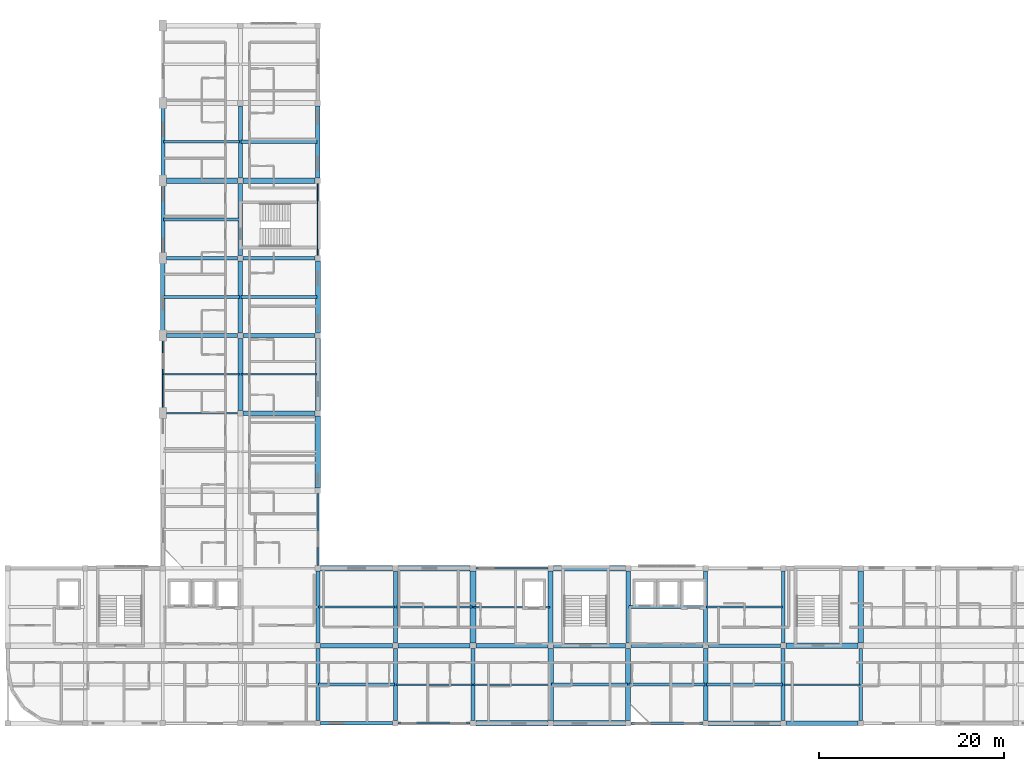
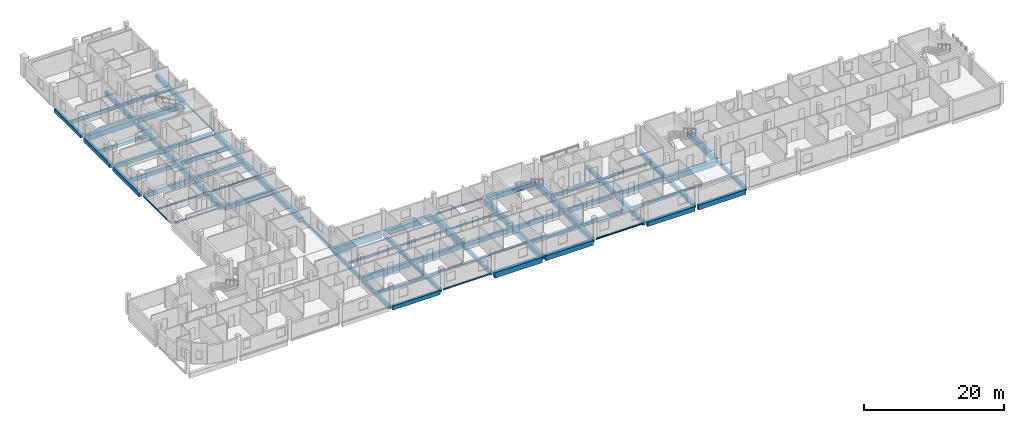
# One storey, part 3 of 24: 75 beams.
"""IFC4 building model written with IfcOpenShell, lengths in metres."""

from ifc_helpers import new_model, si_unit, derived_unit, direction, frame, origin, origin_2d, place, context, subcontext, project, spatial, rectangle, hollow_rectangle, i_section, extrude, material, material_profile, profile_set, type_object, element, save


model = new_model("IFC4")

# Units and contexts
model_context = context("Model", 3, precision=1e-05, world=origin(), true_north=direction((0.0, 1.0)))
body_context = subcontext(model_context, "Body", "Model", "MODEL_VIEW")
ifc_project = project(units=[si_unit("LENGTHUNIT", "METRE"), si_unit("AREAUNIT", "SQUARE_METRE"), si_unit("VOLUMEUNIT", "CUBIC_METRE"), si_unit("PLANEANGLEUNIT", "RADIAN"), si_unit("MASSUNIT", "GRAM", prefix="KILO"), derived_unit("THERMALTRANSMITTANCEUNIT", [(si_unit("POWERUNIT", "WATT"), 1), (si_unit("LENGTHUNIT", "METRE"), -2), (si_unit("THERMODYNAMICTEMPERATUREUNIT", "KELVIN"), -1)])], contexts=[model_context])

# Site, building, storey
site_placement = place(None, origin())
site = spatial("IfcSite", under=ifc_project, at=site_placement, CompositionType="ELEMENT")
building_placement = place(site_placement, origin())
building = spatial("IfcBuilding", under=site, at=building_placement, Name="Barrovel Congress Hotel", CompositionType="ELEMENT")
storey_placement = place(building_placement, frame((0.0, 0.0, 29.10009765625)))
storey = spatial("IfcBuildingStorey", under=building, at=storey_placement, Name="L07", CompositionType="ELEMENT", Elevation=29.10009765625)

# Beams
ifc_material_1 = material(Name="Concrete C40", Category="concrete")
ifc_material_profile_1 = material_profile(ifc_material_1, rectangle(XDim=0.25, YDim=0.5, at=origin_2d()), Name="RC250x500")
ifc_profile_set_1 = profile_set([ifc_material_profile_1], Name="Concrete C40")
beam_type_1 = type_object("IfcBeamType", Name="BM-RC250x500", PredefinedType="SPANDREL", material=ifc_profile_set_1)
beam_1_placement = place(storey_placement, frame((50.39990234375, 21.300048828125, -0.47021484375), z_axis=(0.0, 1.0, 0.0), x_axis=(-1.0, 0.0, 0.0)))
element("IfcBeam", 1, at=beam_1_placement, inside=storey, type_object=beam_type_1, Name="BMY:L07:50.4:21.0-29.4", PredefinedType="SPANDREL", context=body_context, shape_type="SweptSolid", body=[
    extrude(rectangle(XDim=0.25, YDim=0.5, at=origin_2d()), origin(), (0.0, 0.0, 1.0), 7.800048828125),
])
ifc_material_profile_2 = material_profile(ifc_material_1, rectangle(XDim=0.300048828125, YDim=0.5, at=origin_2d()), Name="RC300x500")
ifc_profile_set_2 = profile_set([ifc_material_profile_2], Name="Concrete C40")
beam_type_2 = type_object("IfcBeamType", Name="BM-RC300x500", PredefinedType="JOIST", material=ifc_profile_set_2)
for number, where, z_axis, x_axis, name in (
    (2, (50.47998046875, 8.39990234375, -0.47021484375), (1.0, 0.0, 0.0), (0.0, 1.0, 0.0), "JST:L07:50.4:8.4"),
    (3, (92.47998046875, 8.39990234375, -0.47021484375), (1.0, 0.0, 0.0), (0.0, 1.0, 0.0), "JST:L07:92.4:8.4"),
):
    element("IfcBeam", number, at=place(storey_placement, frame(where, z_axis=z_axis, x_axis=x_axis)), inside=storey, type_object=beam_type_2, Name=name, PredefinedType="JOIST", context=body_context, shape_type="SweptSolid", body=[
        extrude(rectangle(XDim=0.300048828125, YDim=0.5, at=origin_2d()), origin(), (0.0, 0.0, 1.0), 8.239990234375),
    ])
ifc_material_profile_3 = material_profile(ifc_material_1, rectangle(XDim=0.300048828125, YDim=0.60009765625, at=origin_2d()), Name="RC300x600")
ifc_profile_set_3 = profile_set([ifc_material_profile_3], Name="Concrete C40")
beam_type_3 = type_object("IfcBeamType", Name="BM-RC300x600", PredefinedType="JOIST", material=ifc_profile_set_3)
for number, where, z_axis, x_axis, name in (
    (4, (33.679931640625, 67.199951171875, -0.52001953125), (1.0, 0.0, 0.0), (0.0, 1.0, 0.0), "JST:L07:33.6:67.2"),
    (5, (84.080078125, 16.800048828125, -0.52001953125), (1.0, 0.0, 0.0), (0.0, 1.0, 0.0), "JST:L07:84.0:16.8"),
):
    element("IfcBeam", number, at=place(storey_placement, frame(where, z_axis=z_axis, x_axis=x_axis)), inside=storey, type_object=beam_type_3, Name=name, PredefinedType="JOIST", context=body_context, shape_type="SweptSolid", body=[
        extrude(rectangle(XDim=0.300048828125, YDim=0.60009765625, at=origin_2d()), origin(), (0.0, 0.0, 1.0), 8.239990234375),
    ])
ifc_material_profile_4 = material_profile(ifc_material_1, rectangle(XDim=0.35009765625, YDim=0.550048828125, at=origin_2d()), Name="RC350x550")
ifc_profile_set_4 = profile_set([ifc_material_profile_4], Name="Concrete C40")
beam_type_4 = type_object("IfcBeamType", Name="BM-RC350x550", PredefinedType="JOIST", material=ifc_profile_set_4)
for number, where, z_axis, x_axis, name in (
    (6, (33.679931640625, 58.800048828125, -0.4951171875), (1.0, 0.0, 0.0), (0.0, 1.0, 0.0), "JST:L07:33.6:58.8"),
    (7, (42.080078125, 67.199951171875, -0.4951171875), (1.0, 0.0, 0.0), (0.0, 1.0, 0.0), "JST:L07:42.0:67.2"),
    (8, (84.080078125, 8.39990234375, -0.4951171875), (1.0, 0.0, 0.0), (0.0, 1.0, 0.0), "JST:L07:84.0:8.4"),
):
    element("IfcBeam", number, at=place(storey_placement, frame(where, z_axis=z_axis, x_axis=x_axis)), inside=storey, type_object=beam_type_4, Name=name, PredefinedType="JOIST", context=body_context, shape_type="SweptSolid", body=[
        extrude(rectangle(XDim=0.35009765625, YDim=0.550048828125, at=origin_2d()), origin(), (0.0, 0.0, 1.0), 8.239990234375),
    ])
ifc_material_profile_5 = material_profile(ifc_material_1, rectangle(XDim=0.35009765625, YDim=0.64990234375, at=origin_2d()), Name="RC350x650")
ifc_profile_set_5 = profile_set([ifc_material_profile_5], Name="Concrete C40")
beam_type_5 = type_object("IfcBeamType", Name="BM-RC350x650", PredefinedType="JOIST", material=ifc_profile_set_5)
for number, where, z_axis, x_axis, name in (
    (9, (33.679931640625, 50.39990234375, -0.545166015625), (1.0, 0.0, 0.0), (0.0, 1.0, 0.0), "JST:L07:33.6:50.4"),
    (10, (42.080078125, 50.39990234375, -0.545166015625), (1.0, 0.0, 0.0), (0.0, 1.0, 0.0), "JST:L07:42.0:50.4"),
    (11, (75.679931640625, 8.39990234375, -0.545166015625), (1.0, 0.0, 0.0), (0.0, 1.0, 0.0), "JST:L07:75.6:8.4"),
):
    element("IfcBeam", number, at=place(storey_placement, frame(where, z_axis=z_axis, x_axis=x_axis)), inside=storey, type_object=beam_type_5, Name=name, PredefinedType="JOIST", context=body_context, shape_type="SweptSolid", body=[
        extrude(rectangle(XDim=0.35009765625, YDim=0.64990234375, at=origin_2d()), origin(), (0.0, 0.0, 1.0), 8.239990234375),
    ])
ifc_material_profile_6 = material_profile(ifc_material_1, rectangle(XDim=0.39990234375, YDim=0.60009765625, at=origin_2d()), Name="RC400x600")
ifc_profile_set_6 = profile_set([ifc_material_profile_6], Name="Concrete C40")
beam_type_6 = type_object("IfcBeamType", Name="BM-RC400x600", PredefinedType="BEAM", material=ifc_profile_set_6)
for number, where, z_axis, x_axis, name in (
    (12, (92.699951171875, 12.60009765625, -0.52001953125), (1.0, 0.0, 0.0), (0.0, 1.0, 0.0), "BMX:L07:12.6:92.4-100.8"),
    (13, (42.300048828125, 54.60009765625, -0.52001953125), (1.0, 0.0, 0.0), (0.0, 1.0, 0.0), "BMX:L07:54.6:42.0-50.4"),
    (14, (50.39990234375, 12.89990234375, -0.52001953125), (0.0, 1.0, 0.0), (-1.0, 0.0, 0.0), "BMY:L07:50.4:12.6-21.0"),
    (15, (67.199951171875, 4.5, -0.52001953125), (0.0, 1.0, 0.0), (-1.0, 0.0, 0.0), "BMY:L07:67.2:4.2-12.6"),
    (16, (109.199951171875, 4.5, -0.52001953125), (0.0, 1.0, 0.0), (-1.0, 0.0, 0.0), "BMY:L07:109.2:4.2-12.6"),
):
    element("IfcBeam", number, at=place(storey_placement, frame(where, z_axis=z_axis, x_axis=x_axis)), inside=storey, type_object=beam_type_6, Name=name, PredefinedType="BEAM", context=body_context, shape_type="SweptSolid", body=[
        extrude(rectangle(XDim=0.39990234375, YDim=0.60009765625, at=origin_2d()), origin(), (0.0, 0.0, 1.0), 7.800048828125),
    ])
ifc_material_profile_7 = material_profile(ifc_material_1, rectangle(XDim=0.39990234375, YDim=0.699951171875, at=origin_2d()), Name="RC400x700")
ifc_profile_set_7 = profile_set([ifc_material_profile_7], Name="Concrete C40")
beam_type_7 = type_object("IfcBeamType", Name="BM-RC400x700", PredefinedType="BEAM", material=ifc_profile_set_7)
for number, where, z_axis, x_axis, name in (
    (17, (50.699951171875, 4.199951171875, -0.570068359375), (1.0, 0.0, 0.0), (0.0, 1.0, 0.0), "BMX:L07:4.2:50.4-58.8"),
    (18, (84.300048828125, 12.60009765625, -0.570068359375), (1.0, 0.0, 0.0), (0.0, 1.0, 0.0), "BMX:L07:12.6:84.0-92.4"),
):
    element("IfcBeam", number, at=place(storey_placement, frame(where, z_axis=z_axis, x_axis=x_axis)), inside=storey, type_object=beam_type_7, Name=name, PredefinedType="BEAM", context=body_context, shape_type="SweptSolid", body=[
        extrude(rectangle(XDim=0.39990234375, YDim=0.699951171875, at=origin_2d()), origin(), (0.0, 0.0, 1.0), 7.800048828125),
    ])
beam_2_placement = place(storey_placement, frame((34.0, 54.60009765625, -0.570068359375), z_axis=(1.0, 0.0, 0.0), x_axis=(0.0, 1.0, 0.0)))
element("IfcBeam", 19, at=beam_2_placement, inside=storey, type_object=beam_type_7, Name="BMX:L07:54.6:33.6-42.0", PredefinedType="BEAM", context=body_context, shape_type="SweptSolid", body=[
    extrude(rectangle(XDim=0.39990234375, YDim=0.699951171875, at=origin_2d()), origin(), (0.0, 0.0, 1.0), 7.699951171875),
])
for number, where, z_axis, x_axis, name in (
    (20, (50.39990234375, 4.5, -0.570068359375), (0.0, 1.0, 0.0), (-1.0, 0.0, 0.0), "BMY:L07:50.4:4.2-12.6"),
    (21, (58.800048828125, 12.89990234375, -0.570068359375), (0.0, 1.0, 0.0), (-1.0, 0.0, 0.0), "BMY:L07:58.8:12.6-21.0"),
    (22, (100.800048828125, 12.89990234375, -0.570068359375), (0.0, 1.0, 0.0), (-1.0, 0.0, 0.0), "BMY:L07:100.8:12.6-21.0"),
):
    element("IfcBeam", number, at=place(storey_placement, frame(where, z_axis=z_axis, x_axis=x_axis)), inside=storey, type_object=beam_type_7, Name=name, PredefinedType="BEAM", context=body_context, shape_type="SweptSolid", body=[
        extrude(rectangle(XDim=0.39990234375, YDim=0.699951171875, at=origin_2d()), origin(), (0.0, 0.0, 1.0), 7.800048828125),
    ])
ifc_material_profile_8 = material_profile(ifc_material_1, rectangle(XDim=0.449951171875, YDim=0.64990234375, at=origin_2d()), Name="RC450x650")
ifc_profile_set_8 = profile_set([ifc_material_profile_8], Name="Concrete C40")
beam_type_8 = type_object("IfcBeamType", Name="BM-RC450x650", PredefinedType="BEAM", material=ifc_profile_set_8)
for number, where, z_axis, x_axis, name in (
    (23, (75.89990234375, 12.60009765625, -0.545166015625), (1.0, 0.0, 0.0), (0.0, 1.0, 0.0), "BMX:L07:12.6:75.6-84.0"),
    (24, (42.300048828125, 46.199951171875, -0.545166015625), (1.0, 0.0, 0.0), (0.0, 1.0, 0.0), "BMX:L07:46.2:42.0-50.4"),
):
    element("IfcBeam", number, at=place(storey_placement, frame(where, z_axis=z_axis, x_axis=x_axis)), inside=storey, type_object=beam_type_8, Name=name, PredefinedType="BEAM", context=body_context, shape_type="SweptSolid", body=[
        extrude(rectangle(XDim=0.449951171875, YDim=0.64990234375, at=origin_2d()), origin(), (0.0, 0.0, 1.0), 7.800048828125),
    ])
beam_3_placement = place(storey_placement, frame((33.60009765625, 63.449951171875, -0.545166015625), z_axis=(0.0, 1.0, 0.0), x_axis=(-1.0, 0.0, 0.0)))
element("IfcBeam", 25, at=beam_3_placement, inside=storey, type_object=beam_type_8, Name="BMY:L07:33.6:63.0-71.4", PredefinedType="BEAM", context=body_context, shape_type="SweptSolid", body=[
    extrude(rectangle(XDim=0.449951171875, YDim=0.64990234375, at=origin_2d()), origin(), (0.0, 0.0, 1.0), 7.5),
])
for number, where, z_axis, x_axis, name in (
    (26, (58.800048828125, 4.5, -0.545166015625), (0.0, 1.0, 0.0), (-1.0, 0.0, 0.0), "BMY:L07:58.8:4.2-12.6"),
    (27, (100.800048828125, 4.5, -0.545166015625), (0.0, 1.0, 0.0), (-1.0, 0.0, 0.0), "BMY:L07:100.8:4.2-12.6"),
):
    element("IfcBeam", number, at=place(storey_placement, frame(where, z_axis=z_axis, x_axis=x_axis)), inside=storey, type_object=beam_type_8, Name=name, PredefinedType="BEAM", context=body_context, shape_type="SweptSolid", body=[
        extrude(rectangle(XDim=0.449951171875, YDim=0.64990234375, at=origin_2d()), origin(), (0.0, 0.0, 1.0), 7.800048828125),
    ])
ifc_material_profile_9 = material_profile(ifc_material_1, rectangle(XDim=0.449951171875, YDim=0.75, at=origin_2d()), Name="RC450x750")
ifc_profile_set_9 = profile_set([ifc_material_profile_9], Name="Concrete C40")
beam_type_9 = type_object("IfcBeamType", Name="BM-RC450x750", PredefinedType="BEAM", material=ifc_profile_set_9)
beam_4_placement = place(storey_placement, frame((67.5, 12.60009765625, -0.59521484375), z_axis=(1.0, 0.0, 0.0), x_axis=(0.0, 1.0, 0.0)))
element("IfcBeam", 28, at=beam_4_placement, inside=storey, type_object=beam_type_9, Name="BMX:L07:12.6:67.2-75.6", PredefinedType="BEAM", context=body_context, shape_type="SweptSolid", body=[
    extrude(rectangle(XDim=0.449951171875, YDim=0.75, at=origin_2d()), origin(), (0.0, 0.0, 1.0), 7.800048828125),
])
beam_5_placement = place(storey_placement, frame((34.0, 46.199951171875, -0.59521484375), z_axis=(1.0, 0.0, 0.0), x_axis=(0.0, 1.0, 0.0)))
element("IfcBeam", 29, at=beam_5_placement, inside=storey, type_object=beam_type_9, Name="BMX:L07:46.2:33.6-42.0", PredefinedType="BEAM", context=body_context, shape_type="SweptSolid", body=[
    extrude(rectangle(XDim=0.449951171875, YDim=0.75, at=origin_2d()), origin(), (0.0, 0.0, 1.0), 7.699951171875),
])
beam_6_placement = place(storey_placement, frame((33.60009765625, 55.050048828125, -0.59521484375), z_axis=(0.0, 1.0, 0.0), x_axis=(-1.0, 0.0, 0.0)))
element("IfcBeam", 30, at=beam_6_placement, inside=storey, type_object=beam_type_9, Name="BMY:L07:33.6:54.6-63.0", PredefinedType="BEAM", context=body_context, shape_type="SweptSolid", body=[
    extrude(rectangle(XDim=0.449951171875, YDim=0.75, at=origin_2d()), origin(), (0.0, 0.0, 1.0), 7.5),
])
for number, where, z_axis, x_axis, name in (
    (31, (42.0, 63.300048828125, -0.59521484375), (0.0, 1.0, 0.0), (-1.0, 0.0, 0.0), "BMY:L07:42.0:63.0-71.4"),
    (32, (92.39990234375, 12.89990234375, -0.59521484375), (0.0, 1.0, 0.0), (-1.0, 0.0, 0.0), "BMY:L07:92.4:12.6-21.0"),
):
    element("IfcBeam", number, at=place(storey_placement, frame(where, z_axis=z_axis, x_axis=x_axis)), inside=storey, type_object=beam_type_9, Name=name, PredefinedType="BEAM", context=body_context, shape_type="SweptSolid", body=[
        extrude(rectangle(XDim=0.449951171875, YDim=0.75, at=origin_2d()), origin(), (0.0, 0.0, 1.0), 7.800048828125),
    ])
ifc_material_profile_10 = material_profile(ifc_material_1, rectangle(XDim=0.5, YDim=0.75, at=origin_2d()), Name="RC500x750")
ifc_profile_set_10 = profile_set([ifc_material_profile_10], Name="Concrete C40")
beam_type_10 = type_object("IfcBeamType", Name="BM-RC500x750", PredefinedType="BEAM", material=ifc_profile_set_10)
beam_7_placement = place(storey_placement, frame((59.10009765625, 12.60009765625, -0.59521484375), z_axis=(1.0, 0.0, 0.0), x_axis=(0.0, 1.0, 0.0)))
element("IfcBeam", 33, at=beam_7_placement, inside=storey, type_object=beam_type_10, Name="BMX:L07:12.6:58.8-67.2", PredefinedType="BEAM", context=body_context, shape_type="SweptSolid", body=[
    extrude(rectangle(XDim=0.5, YDim=0.75, at=origin_2d()), origin(), (0.0, 0.0, 1.0), 7.7998046875),
])
beam_8_placement = place(storey_placement, frame((42.300048828125, 37.800048828125, -0.59521484375), z_axis=(1.0, 0.0, 0.0), x_axis=(0.0, 1.0, 0.0)))
element("IfcBeam", 34, at=beam_8_placement, inside=storey, type_object=beam_type_10, Name="BMX:L07:37.8:42.0-50.4", PredefinedType="BEAM", context=body_context, shape_type="SweptSolid", body=[
    extrude(rectangle(XDim=0.5, YDim=0.75, at=origin_2d()), origin(), (0.0, 0.0, 1.0), 7.800048828125),
])
beam_9_placement = place(storey_placement, frame((33.60009765625, 46.64990234375, -0.59521484375), z_axis=(0.0, 1.0, 0.0), x_axis=(-1.0, 0.0, 0.0)))
element("IfcBeam", 35, at=beam_9_placement, inside=storey, type_object=beam_type_10, Name="BMY:L07:33.6:46.2-54.6", PredefinedType="BEAM", context=body_context, shape_type="SweptSolid", body=[
    extrude(rectangle(XDim=0.5, YDim=0.75, at=origin_2d()), origin(), (0.0, 0.0, 1.0), 7.5),
])
for number, where, z_axis, x_axis, name in (
    (36, (42.0, 54.89990234375, -0.59521484375), (0.0, 1.0, 0.0), (-1.0, 0.0, 0.0), "BMY:L07:42.0:54.6-63.0"),
    (37, (50.39990234375, 63.300048828125, -0.59521484375), (0.0, 1.0, 0.0), (-1.0, 0.0, 0.0), "BMY:L07:50.4:63.0-71.4"),
    (38, (92.39990234375, 4.5, -0.59521484375), (0.0, 1.0, 0.0), (-1.0, 0.0, 0.0), "BMY:L07:92.4:4.2-12.6"),
):
    element("IfcBeam", number, at=place(storey_placement, frame(where, z_axis=z_axis, x_axis=x_axis)), inside=storey, type_object=beam_type_10, Name=name, PredefinedType="BEAM", context=body_context, shape_type="SweptSolid", body=[
        extrude(rectangle(XDim=0.5, YDim=0.75, at=origin_2d()), origin(), (0.0, 0.0, 1.0), 7.800048828125),
    ])
ifc_material_profile_11 = material_profile(ifc_material_1, rectangle(XDim=0.5, YDim=0.85009765625, at=origin_2d()), Name="RC500x850")
ifc_profile_set_11 = profile_set([ifc_material_profile_11], Name="Concrete C40")
beam_type_11 = type_object("IfcBeamType", Name="BM-RC500x850", PredefinedType="BEAM", material=ifc_profile_set_11)
beam_10_placement = place(storey_placement, frame((101.10009765625, 4.199951171875, -0.64501953125), z_axis=(1.0, 0.0, 0.0), x_axis=(0.0, 1.0, 0.0)))
element("IfcBeam", 39, at=beam_10_placement, inside=storey, type_object=beam_type_11, Name="BMX:L07:4.2:100.8-109.2", PredefinedType="BEAM", context=body_context, shape_type="SweptSolid", body=[
    extrude(rectangle(XDim=0.5, YDim=0.85009765625, at=origin_2d()), origin(), (0.0, 0.0, 1.0), 7.7998046875),
])
for number, where, z_axis, x_axis, name in (
    (40, (50.699951171875, 12.60009765625, -0.64501953125), (1.0, 0.0, 0.0), (0.0, 1.0, 0.0), "BMX:L07:12.6:50.4-58.8"),
    (41, (42.0, 46.5, -0.64501953125), (0.0, 1.0, 0.0), (-1.0, 0.0, 0.0), "BMY:L07:42.0:46.2-54.6"),
    (42, (84.0, 12.89990234375, -0.64501953125), (0.0, 1.0, 0.0), (-1.0, 0.0, 0.0), "BMY:L07:84.0:12.6-21.0"),
):
    element("IfcBeam", number, at=place(storey_placement, frame(where, z_axis=z_axis, x_axis=x_axis)), inside=storey, type_object=beam_type_11, Name=name, PredefinedType="BEAM", context=body_context, shape_type="SweptSolid", body=[
        extrude(rectangle(XDim=0.5, YDim=0.85009765625, at=origin_2d()), origin(), (0.0, 0.0, 1.0), 7.800048828125),
    ])
ifc_material_profile_12 = material_profile(ifc_material_1, rectangle(XDim=0.550048828125, YDim=0.800048828125, at=origin_2d()), Name="RC550x800")
ifc_profile_set_12 = profile_set([ifc_material_profile_12], Name="Concrete C40")
beam_type_12 = type_object("IfcBeamType", Name="BM-RC550x800", PredefinedType="BEAM", material=ifc_profile_set_12)
for number, where, z_axis, x_axis, name in (
    (43, (92.699951171875, 4.199951171875, -0.6201171875), (1.0, 0.0, 0.0), (0.0, 1.0, 0.0), "BMX:L07:4.2:92.4-100.8"),
    (44, (75.89990234375, 21.0, -0.6201171875), (1.0, 0.0, 0.0), (0.0, 1.0, 0.0), "BMX:L07:21.0:75.6-84.0"),
):
    element("IfcBeam", number, at=place(storey_placement, frame(where, z_axis=z_axis, x_axis=x_axis)), inside=storey, type_object=beam_type_12, Name=name, PredefinedType="BEAM", context=body_context, shape_type="SweptSolid", body=[
        extrude(rectangle(XDim=0.550048828125, YDim=0.800048828125, at=origin_2d()), origin(), (0.0, 0.0, 1.0), 7.800048828125),
    ])
beam_11_placement = place(storey_placement, frame((42.0, 38.10009765625, -0.6201171875), z_axis=(0.0, 1.0, 0.0), x_axis=(-1.0, 0.0, 0.0)))
element("IfcBeam", 45, at=beam_11_placement, inside=storey, type_object=beam_type_12, Name="BMY:L07:42.0:37.8-46.2", PredefinedType="BEAM", context=body_context, shape_type="SweptSolid", body=[
    extrude(rectangle(XDim=0.550048828125, YDim=0.800048828125, at=origin_2d()), origin(), (0.0, 0.0, 1.0), 7.7998046875),
])
for number, where, z_axis, x_axis, name in (
    (46, (50.39990234375, 46.5, -0.6201171875), (0.0, 1.0, 0.0), (-1.0, 0.0, 0.0), "BMY:L07:50.4:46.2-54.6"),
    (47, (84.0, 4.5, -0.6201171875), (0.0, 1.0, 0.0), (-1.0, 0.0, 0.0), "BMY:L07:84.0:4.2-12.6"),
):
    element("IfcBeam", number, at=place(storey_placement, frame(where, z_axis=z_axis, x_axis=x_axis)), inside=storey, type_object=beam_type_12, Name=name, PredefinedType="BEAM", context=body_context, shape_type="SweptSolid", body=[
        extrude(rectangle(XDim=0.550048828125, YDim=0.800048828125, at=origin_2d()), origin(), (0.0, 0.0, 1.0), 7.800048828125),
    ])
ifc_material_profile_13 = material_profile(ifc_material_1, rectangle(XDim=0.550048828125, YDim=0.89990234375, at=origin_2d()), Name="RC550x900")
ifc_profile_set_13 = profile_set([ifc_material_profile_13], Name="Concrete C40")
beam_type_13 = type_object("IfcBeamType", Name="BM-RC550x900", PredefinedType="BEAM", material=ifc_profile_set_13)
beam_12_placement = place(storey_placement, frame((50.39990234375, 38.10009765625, -0.670166015625), z_axis=(0.0, 1.0, 0.0), x_axis=(-1.0, 0.0, 0.0)))
element("IfcBeam", 48, at=beam_12_placement, inside=storey, type_object=beam_type_13, Name="BMY:L07:50.4:37.8-46.2", PredefinedType="BEAM", context=body_context, shape_type="SweptSolid", body=[
    extrude(rectangle(XDim=0.550048828125, YDim=0.89990234375, at=origin_2d()), origin(), (0.0, 0.0, 1.0), 7.7998046875),
])
beam_13_placement = place(storey_placement, frame((75.60009765625, 12.89990234375, -0.670166015625), z_axis=(0.0, 1.0, 0.0), x_axis=(-1.0, 0.0, 0.0)))
element("IfcBeam", 49, at=beam_13_placement, inside=storey, type_object=beam_type_13, Name="BMY:L07:75.6:12.6-21.0", PredefinedType="BEAM", context=body_context, shape_type="SweptSolid", body=[
    extrude(rectangle(XDim=0.550048828125, YDim=0.89990234375, at=origin_2d()), origin(), (0.0, 0.0, 1.0), 7.800048828125),
])
ifc_material_profile_14 = material_profile(ifc_material_1, rectangle(XDim=0.60009765625, YDim=0.85009765625, at=origin_2d()), Name="RC600x850")
ifc_profile_set_14 = profile_set([ifc_material_profile_14], Name="Concrete C40")
beam_type_14 = type_object("IfcBeamType", Name="BM-RC600x850", PredefinedType="BEAM", material=ifc_profile_set_14)
beam_14_placement = place(storey_placement, frame((75.89990234375, 4.199951171875, -0.64501953125), z_axis=(1.0, 0.0, 0.0), x_axis=(0.0, 1.0, 0.0)))
element("IfcBeam", 50, at=beam_14_placement, inside=storey, type_object=beam_type_14, Name="BMX:L07:4.2:75.6-84.0", PredefinedType="BEAM", context=body_context, shape_type="SweptSolid", body=[
    extrude(rectangle(XDim=0.60009765625, YDim=0.85009765625, at=origin_2d()), origin(), (0.0, 0.0, 1.0), 7.800048828125),
])
beam_15_placement = place(storey_placement, frame((59.10009765625, 21.0, -0.64501953125), z_axis=(1.0, 0.0, 0.0), x_axis=(0.0, 1.0, 0.0)))
element("IfcBeam", 51, at=beam_15_placement, inside=storey, type_object=beam_type_14, Name="BMX:L07:21.0:58.8-67.2", PredefinedType="BEAM", context=body_context, shape_type="SweptSolid", body=[
    extrude(rectangle(XDim=0.60009765625, YDim=0.85009765625, at=origin_2d()), origin(), (0.0, 0.0, 1.0), 7.7998046875),
])
for number, where, z_axis, x_axis, name in (
    (52, (42.300048828125, 63.0, -0.64501953125), (1.0, 0.0, 0.0), (0.0, 1.0, 0.0), "BMX:L07:63.0:42.0-50.4"),
    (53, (50.39990234375, 29.699951171875, -0.64501953125), (0.0, 1.0, 0.0), (-1.0, 0.0, 0.0), "BMY:L07:50.4:29.4-37.8"),
    (54, (75.60009765625, 4.5, -0.64501953125), (0.0, 1.0, 0.0), (-1.0, 0.0, 0.0), "BMY:L07:75.6:4.2-12.6"),
):
    element("IfcBeam", number, at=place(storey_placement, frame(where, z_axis=z_axis, x_axis=x_axis)), inside=storey, type_object=beam_type_14, Name=name, PredefinedType="BEAM", context=body_context, shape_type="SweptSolid", body=[
        extrude(rectangle(XDim=0.60009765625, YDim=0.85009765625, at=origin_2d()), origin(), (0.0, 0.0, 1.0), 7.800048828125),
    ])
ifc_material_profile_15 = material_profile(ifc_material_1, rectangle(XDim=0.60009765625, YDim=0.949951171875, at=origin_2d()), Name="RC600x950")
ifc_profile_set_15 = profile_set([ifc_material_profile_15], Name="Concrete C40")
beam_type_15 = type_object("IfcBeamType", Name="BM-RC600x950", PredefinedType="BEAM", material=ifc_profile_set_15)
beam_16_placement = place(storey_placement, frame((67.5, 4.199951171875, -0.695068359375), z_axis=(1.0, 0.0, 0.0), x_axis=(0.0, 1.0, 0.0)))
element("IfcBeam", 55, at=beam_16_placement, inside=storey, type_object=beam_type_15, Name="BMX:L07:4.2:67.2-75.6", PredefinedType="BEAM", context=body_context, shape_type="SweptSolid", body=[
    extrude(rectangle(XDim=0.60009765625, YDim=0.949951171875, at=origin_2d()), origin(), (0.0, 0.0, 1.0), 7.800048828125),
])
beam_17_placement = place(storey_placement, frame((101.10009765625, 12.60009765625, -0.695068359375), z_axis=(1.0, 0.0, 0.0), x_axis=(0.0, 1.0, 0.0)))
element("IfcBeam", 56, at=beam_17_placement, inside=storey, type_object=beam_type_15, Name="BMX:L07:12.6:100.8-109.2", PredefinedType="BEAM", context=body_context, shape_type="SweptSolid", body=[
    extrude(rectangle(XDim=0.60009765625, YDim=0.949951171875, at=origin_2d()), origin(), (0.0, 0.0, 1.0), 7.7998046875),
])
beam_18_placement = place(storey_placement, frame((50.699951171875, 21.0, -0.695068359375), z_axis=(1.0, 0.0, 0.0), x_axis=(0.0, 1.0, 0.0)))
element("IfcBeam", 57, at=beam_18_placement, inside=storey, type_object=beam_type_15, Name="BMX:L07:21.0:50.4-58.8", PredefinedType="BEAM", context=body_context, shape_type="SweptSolid", body=[
    extrude(rectangle(XDim=0.60009765625, YDim=0.949951171875, at=origin_2d()), origin(), (0.0, 0.0, 1.0), 7.800048828125),
])
beam_19_placement = place(storey_placement, frame((34.0, 63.0, -0.695068359375), z_axis=(1.0, 0.0, 0.0), x_axis=(0.0, 1.0, 0.0)))
element("IfcBeam", 58, at=beam_19_placement, inside=storey, type_object=beam_type_15, Name="BMX:L07:63.0:33.6-42.0", PredefinedType="BEAM", context=body_context, shape_type="SweptSolid", body=[
    extrude(rectangle(XDim=0.60009765625, YDim=0.949951171875, at=origin_2d()), origin(), (0.0, 0.0, 1.0), 7.699951171875),
])
for number, where, z_axis, x_axis, name in (
    (59, (67.199951171875, 12.89990234375, -0.695068359375), (0.0, 1.0, 0.0), (-1.0, 0.0, 0.0), "BMY:L07:67.2:12.6-21.0"),
    (60, (109.199951171875, 12.89990234375, -0.695068359375), (0.0, 1.0, 0.0), (-1.0, 0.0, 0.0), "BMY:L07:109.2:12.6-21.0"),
):
    element("IfcBeam", number, at=place(storey_placement, frame(where, z_axis=z_axis, x_axis=x_axis)), inside=storey, type_object=beam_type_15, Name=name, PredefinedType="BEAM", context=body_context, shape_type="SweptSolid", body=[
        extrude(rectangle(XDim=0.60009765625, YDim=0.949951171875, at=origin_2d()), origin(), (0.0, 0.0, 1.0), 7.800048828125),
    ])
ifc_material_2 = material(Name="Steel ASTM A500 Grade C", Category="steel")
ifc_material_profile_16 = material_profile(ifc_material_2, hollow_rectangle(XDim=0.15234375, YDim=0.25390625, WallThickness=0.0087890625, InnerFilletRadius=0.0087890625, OuterFilletRadius=0.017578125, at=origin_2d()), Name="HSS254x152x9.5")
ifc_profile_set_16 = profile_set([ifc_material_profile_16], Name="Steel ASTM A500 Grade C")
beam_type_16 = type_object("IfcBeamType", Name="SBM-HSS254x152x9.5", PredefinedType="SPANDREL", material=ifc_profile_set_16)
beam_20_placement = place(storey_placement, frame((59.10009765625, 4.199951171875, -0.34716796875), z_axis=(1.0, 0.0, 0.0), x_axis=(0.0, 1.0, 0.0)))
element("IfcBeam", 61, at=beam_20_placement, inside=storey, type_object=beam_type_16, Name="BMX:L07:4.2:58.8-67.2", PredefinedType="SPANDREL", context=body_context, shape_type="SweptSolid", body=[
    extrude(hollow_rectangle(XDim=0.15234375, YDim=0.25390625, WallThickness=0.0087890625, InnerFilletRadius=0.0087890625, OuterFilletRadius=0.017578125, at=origin_2d()), origin(), (0.0, 0.0, 1.0), 7.7998046875),
])
beam_21_placement = place(storey_placement, frame((34.0, 37.800048828125, -0.34716796875), z_axis=(1.0, 0.0, 0.0), x_axis=(0.0, 1.0, 0.0)))
element("IfcBeam", 62, at=beam_21_placement, inside=storey, type_object=beam_type_16, Name="BMX:L07:37.8:33.6-42.0", PredefinedType="SPANDREL", context=body_context, shape_type="SweptSolid", body=[
    extrude(hollow_rectangle(XDim=0.15234375, YDim=0.25390625, WallThickness=0.0087890625, InnerFilletRadius=0.0087890625, OuterFilletRadius=0.017578125, at=origin_2d()), origin(), (0.0, 0.0, 1.0), 7.699951171875),
])
beam_22_placement = place(storey_placement, frame((33.60009765625, 38.25, -0.34716796875), z_axis=(0.0, 1.0, 0.0), x_axis=(-1.0, 0.0, 0.0)))
element("IfcBeam", 63, at=beam_22_placement, inside=storey, type_object=beam_type_16, Name="BMY:L07:33.6:37.8-46.2", PredefinedType="SPANDREL", context=body_context, shape_type="SweptSolid", body=[
    extrude(hollow_rectangle(XDim=0.15234375, YDim=0.25390625, WallThickness=0.0087890625, InnerFilletRadius=0.0087890625, OuterFilletRadius=0.017578125, at=origin_2d()), origin(), (0.0, 0.0, 1.0), 7.5),
])
beam_23_placement = place(storey_placement, frame((50.39990234375, 54.89990234375, -0.34716796875), z_axis=(0.0, 1.0, 0.0), x_axis=(-1.0, 0.0, 0.0)))
element("IfcBeam", 64, at=beam_23_placement, inside=storey, type_object=beam_type_16, Name="BMY:L07:50.4:54.6-63.0", PredefinedType="SPANDREL", context=body_context, shape_type="SweptSolid", body=[
    extrude(hollow_rectangle(XDim=0.15234375, YDim=0.25390625, WallThickness=0.0087890625, InnerFilletRadius=0.0087890625, OuterFilletRadius=0.017578125, at=origin_2d()), origin(), (0.0, 0.0, 1.0), 7.800048828125),
])
ifc_material_3 = material(Name="Steel ASTM A992 Grade 50", Category="steel")
ifc_material_profile_17 = material_profile(ifc_material_3, i_section(OverallWidth=0.201904296875, OverallDepth=0.2470703125, WebThickness=0.00732421875, FlangeThickness=0.010986328125, FilletRadius=0.011962890625, at=origin_2d()), Name="W250x49")
ifc_profile_set_17 = profile_set([ifc_material_profile_17], Name="Steel ASTM A992 Grade 50")
beam_type_17 = type_object("IfcBeamType", Name="SBM-W250x49", PredefinedType="SPANDREL", material=ifc_profile_set_17)
for number, where, z_axis, x_axis, name in (
    (65, (84.300048828125, 4.199951171875, -0.343505859375), (1.0, 0.0, 0.0), (0.0, 1.0, 0.0), "BMX:L07:4.2:84.0-92.4"),
    (66, (67.5, 21.0, -0.343505859375), (1.0, 0.0, 0.0), (0.0, 1.0, 0.0), "BMX:L07:21.0:67.2-75.6"),
):
    element("IfcBeam", number, at=place(storey_placement, frame(where, z_axis=z_axis, x_axis=x_axis)), inside=storey, type_object=beam_type_17, Name=name, PredefinedType="SPANDREL", context=body_context, shape_type="SweptSolid", body=[
        extrude(i_section(OverallWidth=0.201904296875, OverallDepth=0.2470703125, WebThickness=0.00732421875, FlangeThickness=0.010986328125, FilletRadius=0.011962890625, at=origin_2d()), origin(), (0.0, 0.0, 1.0), 7.800048828125),
    ])
ifc_material_profile_18 = material_profile(ifc_material_3, i_section(OverallWidth=0.1650390625, OverallDepth=0.31005859375, WebThickness=0.005859375, FlangeThickness=0.009765625, FilletRadius=0.010986328125, at=origin_2d()), Name="W310x39")
ifc_profile_set_18 = profile_set([ifc_material_profile_18], Name="Steel ASTM A992 Grade 50")
beam_type_18 = type_object("IfcBeamType", Name="SBM-W310x39", PredefinedType="JOIST", material=ifc_profile_set_18)
for number, where, z_axis, x_axis, name in (
    (67, (33.679931640625, 42.0, -0.375), (1.0, 0.0, 0.0), (0.0, 1.0, 0.0), "JST:L07:33.6:42.0"),
    (68, (42.080078125, 42.0, -0.375), (1.0, 0.0, 0.0), (0.0, 1.0, 0.0), "JST:L07:42.0:42.0"),
    (69, (67.280029296875, 16.800048828125, -0.375), (1.0, 0.0, 0.0), (0.0, 1.0, 0.0), "JST:L07:67.2:16.8"),
):
    element("IfcBeam", number, at=place(storey_placement, frame(where, z_axis=z_axis, x_axis=x_axis)), inside=storey, type_object=beam_type_18, Name=name, PredefinedType="JOIST", context=body_context, shape_type="SweptSolid", body=[
        extrude(i_section(OverallWidth=0.1650390625, OverallDepth=0.31005859375, WebThickness=0.005859375, FlangeThickness=0.009765625, FilletRadius=0.010986328125, at=origin_2d()), origin(), (0.0, 0.0, 1.0), 8.239990234375),
    ])
ifc_material_profile_19 = material_profile(ifc_material_3, i_section(OverallWidth=0.1669921875, OverallDepth=0.31689453125, WebThickness=0.007568359375, FlangeThickness=0.01318359375, FilletRadius=0.010986328125, at=origin_2d()), Name="W310x52")
ifc_profile_set_19 = profile_set([ifc_material_profile_19], Name="Steel ASTM A992 Grade 50")
beam_type_19 = type_object("IfcBeamType", Name="SBM-W310x52", PredefinedType="JOIST", material=ifc_profile_set_19)
beam_24_placement = place(storey_placement, frame((67.280029296875, 8.39990234375, -0.378662109375), z_axis=(1.0, 0.0, 0.0), x_axis=(0.0, 1.0, 0.0)))
element("IfcBeam", 70, at=beam_24_placement, inside=storey, type_object=beam_type_19, Name="JST:L07:67.2:8.4", PredefinedType="JOIST", context=body_context, shape_type="SweptSolid", body=[
    extrude(i_section(OverallWidth=0.1669921875, OverallDepth=0.31689453125, WebThickness=0.007568359375, FlangeThickness=0.01318359375, FilletRadius=0.010986328125, at=origin_2d()), origin(), (0.0, 0.0, 1.0), 8.239990234375),
])
ifc_material_profile_20 = material_profile(ifc_material_3, i_section(OverallWidth=0.1708984375, OverallDepth=0.35205078125, WebThickness=0.0068359375, FlangeThickness=0.009765625, FilletRadius=0.011962890625, at=origin_2d()), Name="W360x44")
ifc_profile_set_20 = profile_set([ifc_material_profile_20], Name="Steel ASTM A992 Grade 50")
beam_type_20 = type_object("IfcBeamType", Name="SBM-W360x44", PredefinedType="JOIST", material=ifc_profile_set_20)
beam_25_placement = place(storey_placement, frame((58.8798828125, 16.800048828125, -0.39599609375), z_axis=(1.0, 0.0, 0.0), x_axis=(0.0, 1.0, 0.0)))
element("IfcBeam", 71, at=beam_25_placement, inside=storey, type_object=beam_type_20, Name="JST:L07:58.8:16.8", PredefinedType="JOIST", context=body_context, shape_type="SweptSolid", body=[
    extrude(i_section(OverallWidth=0.1708984375, OverallDepth=0.35205078125, WebThickness=0.0068359375, FlangeThickness=0.009765625, FilletRadius=0.011962890625, at=origin_2d()), origin(), (0.0, 0.0, 1.0), 8.240234375),
])
ifc_material_profile_21 = material_profile(ifc_material_3, i_section(OverallWidth=0.172119140625, OverallDepth=0.35791015625, WebThickness=0.0078125, FlangeThickness=0.01318359375, FilletRadius=0.011962890625, at=origin_2d()), Name="W360x57")
ifc_profile_set_21 = profile_set([ifc_material_profile_21], Name="Steel ASTM A992 Grade 50")
beam_type_21 = type_object("IfcBeamType", Name="SBM-W360x57", PredefinedType="JOIST", material=ifc_profile_set_21)
for number, where, z_axis, x_axis, name in (
    (72, (58.8798828125, 8.39990234375, -0.399169921875), (1.0, 0.0, 0.0), (0.0, 1.0, 0.0), "JST:L07:58.8:8.4"),
    (73, (100.8798828125, 8.39990234375, -0.399169921875), (1.0, 0.0, 0.0), (0.0, 1.0, 0.0), "JST:L07:100.8:8.4"),
):
    element("IfcBeam", number, at=place(storey_placement, frame(where, z_axis=z_axis, x_axis=x_axis)), inside=storey, type_object=beam_type_21, Name=name, PredefinedType="JOIST", context=body_context, shape_type="SweptSolid", body=[
        extrude(i_section(OverallWidth=0.172119140625, OverallDepth=0.35791015625, WebThickness=0.0078125, FlangeThickness=0.01318359375, FilletRadius=0.011962890625, at=origin_2d()), origin(), (0.0, 0.0, 1.0), 8.240234375),
    ])
ifc_material_profile_22 = material_profile(ifc_material_3, i_section(OverallWidth=0.177001953125, OverallDepth=0.403076171875, WebThickness=0.007568359375, FlangeThickness=0.010986328125, FilletRadius=0.011962890625, at=origin_2d()), Name="W410x53")
ifc_profile_set_22 = profile_set([ifc_material_profile_22], Name="Steel ASTM A992 Grade 50")
beam_type_22 = type_object("IfcBeamType", Name="SBM-W410x53", PredefinedType="JOIST", material=ifc_profile_set_22)
for number, where, z_axis, x_axis, name in (
    (74, (50.47998046875, 16.800048828125, -0.421630859375), (1.0, 0.0, 0.0), (0.0, 1.0, 0.0), "JST:L07:50.4:16.8"),
    (75, (92.47998046875, 16.800048828125, -0.421630859375), (1.0, 0.0, 0.0), (0.0, 1.0, 0.0), "JST:L07:92.4:16.8"),
):
    element("IfcBeam", number, at=place(storey_placement, frame(where, z_axis=z_axis, x_axis=x_axis)), inside=storey, type_object=beam_type_22, Name=name, PredefinedType="JOIST", context=body_context, shape_type="SweptSolid", body=[
        extrude(i_section(OverallWidth=0.177001953125, OverallDepth=0.403076171875, WebThickness=0.007568359375, FlangeThickness=0.010986328125, FilletRadius=0.011962890625, at=origin_2d()), origin(), (0.0, 0.0, 1.0), 8.239990234375),
    ])

save(model, "model.ifc")
